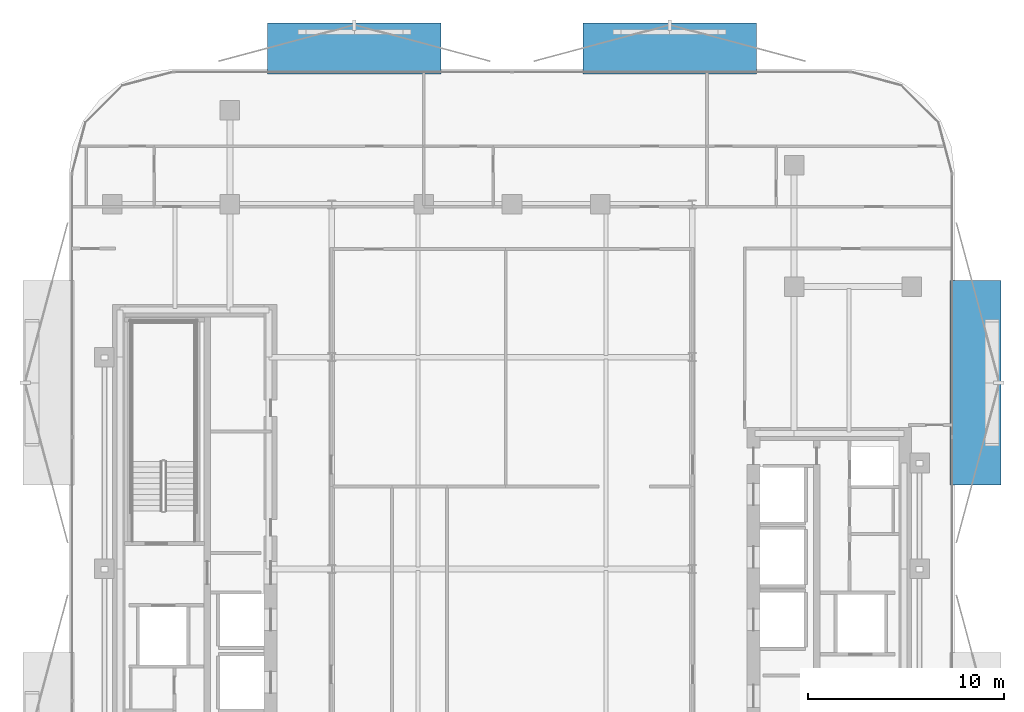
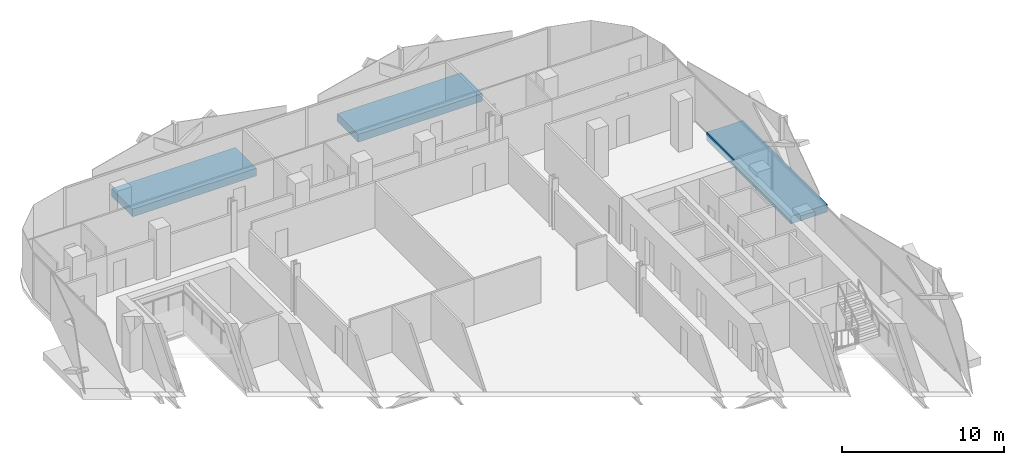
# One storey, part 8 of 17: 3 discrete accessories.
"""IFC4 building model written with IfcOpenShell, lengths in metres."""

from ifc_helpers import new_model, si_unit, direction, frame, origin, origin_2d, place, context, subcontext, project, spatial, rectangle, extrude, material, type_object, element, save


model = new_model("IFC4")

# Units and contexts
model_context = context("Model", 3, precision=1e-05, world=origin(), true_north=direction((0.0, 1.0)))
body_context = subcontext(model_context, "Body", "Model", "MODEL_VIEW")
ifc_project = project(units=[si_unit("LENGTHUNIT", "METRE"), si_unit("AREAUNIT", "SQUARE_METRE"), si_unit("VOLUMEUNIT", "CUBIC_METRE"), si_unit("PLANEANGLEUNIT", "RADIAN"), si_unit("MASSUNIT", "GRAM", prefix="KILO")], contexts=[model_context])

# Site, building, storey
site_placement = place(None, origin())
site = spatial("IfcSite", under=ifc_project, at=site_placement, CompositionType="ELEMENT")
building_placement = place(site_placement, origin())
building = spatial("IfcBuilding", under=site, at=building_placement, Name="Khairoan Windgate Tower", CompositionType="ELEMENT")
storey_placement = place(building_placement, frame((0.0, 0.0, 210.60009765625)))
storey = spatial("IfcBuildingStorey", under=building, at=storey_placement, Name="L49", CompositionType="ELEMENT", Elevation=210.60009765625)

# Discrete accessories
ifc_material = material(Name="Steel S355", Category="steel")
discrete_accessory_type = type_object("IfcDiscreteAccessoryType", Name="Solar Screen Outrigger Slab Bracket SSB-1", PredefinedType="BRACKET", material=ifc_material)
for number, where, z_axis, x_axis, name in (
    (1, (-8.04541015625, 26.56005859375, -0.420166015625), (0.0, 0.0, 1.0), (1.0, 0.0, 0.0), "L49 Solar Screen Outrigger Bracket 333"),
    (2, (8.04541015625, 26.56005859375, -0.420166015625), (0.0, 0.0, 1.0), (1.0, 0.0, 0.0), "L49 Solar Screen Outrigger Bracket 334"),
):
    element("IfcDiscreteAccessory", number, at=place(storey_placement, frame(where, z_axis=z_axis, x_axis=x_axis)), inside=storey, type_object=discrete_accessory_type, Name=name, PredefinedType="BRACKET", context=body_context, shape_type="SweptSolid", body=[
        extrude(rectangle(XDim=8.85009765625, YDim=2.60009765625, at=origin_2d()), origin(), (0.0, 0.0, 1.0), 0.580078125),
    ])
discrete_accessory_placement = place(storey_placement, frame((23.659912109375, 9.495361328125, -0.420166015625), z_axis=(0.0, 0.0, 1.0), x_axis=(0.0, -1.0, 0.0)))
element("IfcDiscreteAccessory", 3, at=discrete_accessory_placement, inside=storey, type_object=discrete_accessory_type, Name="L49 Solar Screen Outrigger Bracket 335", PredefinedType="BRACKET", context=body_context, shape_type="SweptSolid", body=[
    extrude(rectangle(XDim=10.445068359375, YDim=2.60009765625, at=origin_2d()), origin(), (0.0, 0.0, 1.0), 0.580078125),
])

save(model, "model.ifc")
